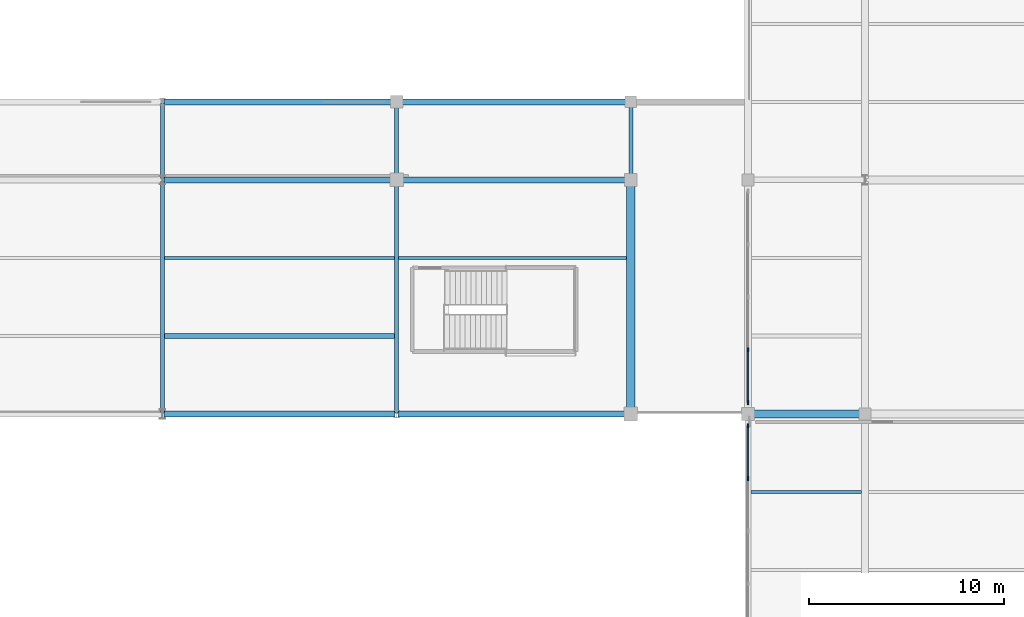
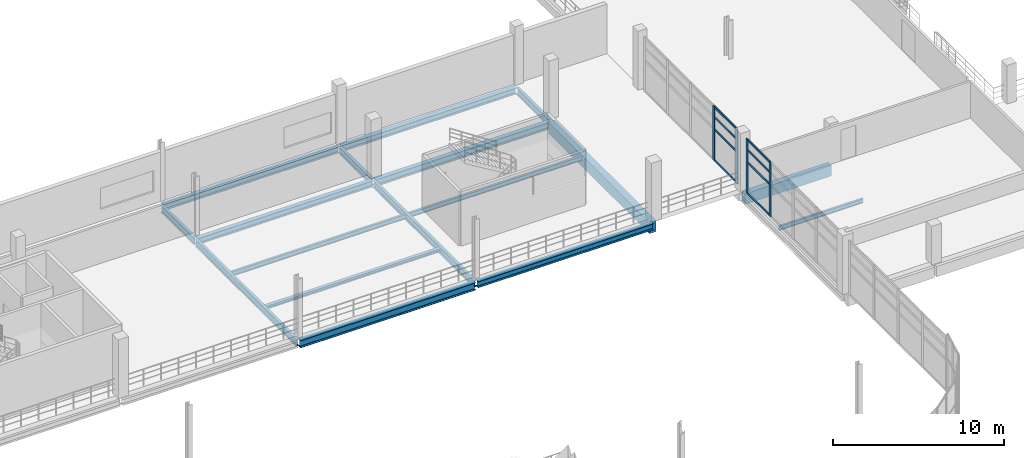
# One storey, part 46 of 89: 17 beams, 12 members, 2 elements without a shape of their own.
"""IFC4 building model written with IfcOpenShell, lengths in metres."""

from ifc_helpers import new_model, si_unit, direction, frame, origin, origin_2d, place, context, subcontext, project, spatial, rectangle, i_section, extrude, material, material_profile, profile_set, type_object, element, aggregate, save


model = new_model("IFC4")

# Units and contexts
model_context = context("Model", 3, precision=1e-05, world=origin(), true_north=direction((0.0, 1.0)))
body_context = subcontext(model_context, "Body", "Model", "MODEL_VIEW")
ifc_project = project(units=[si_unit("LENGTHUNIT", "METRE"), si_unit("AREAUNIT", "SQUARE_METRE"), si_unit("VOLUMEUNIT", "CUBIC_METRE"), si_unit("PLANEANGLEUNIT", "RADIAN"), si_unit("MASSUNIT", "GRAM", prefix="KILO"), si_unit("THERMODYNAMICTEMPERATUREUNIT", "KELVIN"), si_unit("POWERUNIT", "WATT")], contexts=[model_context])

# Site, building, storey
site_placement = place(None, origin())
site = spatial("IfcSite", under=ifc_project, at=site_placement, CompositionType="ELEMENT")
building_placement = place(site_placement, origin())
building = spatial("IfcBuilding", under=site, at=building_placement, Name="Solmara Park Aquatics Centre", CompositionType="ELEMENT")
storey_placement = place(building_placement, frame((0.0, 0.0, 5.39990234375)))
storey = spatial("IfcBuildingStorey", under=building, at=storey_placement, Name="L01", CompositionType="ELEMENT", Elevation=5.39990234375)

# Curtain wall, members
ifc_material_1 = material(Name="Anodised Aluminium Curtain Wall Framing", Category="aluminium")
curtain_wall_type = type_object("IfcCurtainWallType", Name="ARC-CW-SYS03", PredefinedType="USERDEFINED", material=ifc_material_1)
curtain_wall_1_placement = place(storey_placement, origin())
curtain_wall_1 = element("IfcCurtainWall", 1, at=curtain_wall_1_placement, inside=storey, type_object=curtain_wall_type, Name="Curtain Wall CW-078", ObjectType="CURTAIN WALL", PredefinedType="USERDEFINED")
ifc_material_2 = material(Name="Anodised Aluminium Alloy 6063-T6", Category="aluminium")
ifc_material_profile_1 = material_profile(ifc_material_2, rectangle(XDim=0.074951171875, YDim=0.219970703125, at=origin_2d()), Name="ALU MULLION 75x220")
ifc_profile_set_1 = profile_set([ifc_material_profile_1], Name="Anodised Aluminium Alloy 6063-T6")
member_type_1 = type_object("IfcMemberType", Name="ARC-CWM-75x220", PredefinedType="MULLION", material=ifc_profile_set_1)
member_1_placement = place(storey_placement, frame((162.0, 33.300048828125, 0.0), z_axis=(0.0, 0.0, 1.0), x_axis=(1.0, 0.0, 0.0)))
member_1 = element("IfcMember", 2, at=member_1_placement, type_object=member_type_1, Name="CW-078 mullion 4", PredefinedType="MULLION", context=body_context, shape_type="SweptSolid", body=[
    extrude(rectangle(XDim=0.074951171875, YDim=0.219970703125, at=origin_2d()), origin(), (0.0, 0.0, 1.0), 3.880126953125),
])
member_2_placement = place(storey_placement, frame((162.0, 36.0, 0.0), z_axis=(0.0, 0.0, 1.0), x_axis=(1.0, 0.0, 0.0)))
member_2 = element("IfcMember", 3, at=member_2_placement, type_object=member_type_1, Name="CW-078 mullion 5", PredefinedType="MULLION", context=body_context, shape_type="SweptSolid", body=[
    extrude(rectangle(XDim=0.074951171875, YDim=0.219970703125, at=origin_2d()), origin(), (0.0, 0.0, 1.0), 3.880126953125),
])

curtain_wall_2_placement = place(storey_placement, origin())
curtain_wall_2 = element("IfcCurtainWall", 4, at=curtain_wall_2_placement, inside=storey, type_object=curtain_wall_type, Name="Curtain Wall CW-081", ObjectType="CURTAIN WALL", PredefinedType="USERDEFINED")
member_3_placement = place(storey_placement, frame((162.0, 37.199951171875, 0.0), z_axis=(0.0, 0.0, 1.0), x_axis=(1.0, 0.0, 0.0)))
member_3 = element("IfcMember", 5, at=member_3_placement, type_object=member_type_1, Name="CW-081 mullion 1", PredefinedType="MULLION", context=body_context, shape_type="SweptSolid", body=[
    extrude(rectangle(XDim=0.074951171875, YDim=0.219970703125, at=origin_2d()), origin(), (0.0, 0.0, 1.0), 3.880126953125),
])
member_4_placement = place(storey_placement, frame((162.0, 39.89990234375, 0.0), z_axis=(0.0, 0.0, 1.0), x_axis=(1.0, 0.0, 0.0)))
member_4 = element("IfcMember", 6, at=member_4_placement, type_object=member_type_1, Name="CW-081 mullion 2", PredefinedType="MULLION", context=body_context, shape_type="SweptSolid", body=[
    extrude(rectangle(XDim=0.074951171875, YDim=0.219970703125, at=origin_2d()), origin(), (0.0, 0.0, 1.0), 3.880126953125),
])

# Member
ifc_material_profile_2 = material_profile(ifc_material_2, rectangle(XDim=0.074951171875, YDim=0.14990234375, at=origin_2d()), Name="ALU TRANSOM 75x150")
ifc_profile_set_2 = profile_set([ifc_material_profile_2], Name="Anodised Aluminium Alloy 6063-T6")
member_type_2 = type_object("IfcMemberType", Name="ARC-CWT-75x150", PredefinedType="USERDEFINED", material=ifc_profile_set_2)
member_5_placement = place(storey_placement, frame((162.0, 33.320068359375, 0.0400390625), z_axis=(0.0, 1.0, 0.0), x_axis=(-1.0, 0.0, 0.0)))
member_5 = element("IfcMember", 7, at=member_5_placement, type_object=member_type_2, Name="CW-078 transom 13", ObjectType="TRANSOM", PredefinedType="USERDEFINED", context=body_context, shape_type="SweptSolid", body=[
    extrude(rectangle(XDim=0.074951171875, YDim=0.14990234375, at=origin_2d()), origin(), (0.0, 0.0, 1.0), 2.619873046875),
])

member_6_placement = place(storey_placement, frame((162.0, 33.320068359375, 2.25048828125), z_axis=(0.0, 1.0, 0.0), x_axis=(-1.0, 0.0, 0.0)))
member_6 = element("IfcMember", 8, at=member_6_placement, type_object=member_type_2, Name="CW-078 transom 14", ObjectType="TRANSOM", PredefinedType="USERDEFINED", context=body_context, shape_type="SweptSolid", body=[
    extrude(rectangle(XDim=0.074951171875, YDim=0.14990234375, at=origin_2d()), origin(), (0.0, 0.0, 1.0), 2.619873046875),
])

member_7_placement = place(storey_placement, frame((162.0, 33.320068359375, 3.130126953125), z_axis=(0.0, 1.0, 0.0), x_axis=(-1.0, 0.0, 0.0)))
member_7 = element("IfcMember", 9, at=member_7_placement, type_object=member_type_2, Name="CW-078 transom 15", ObjectType="TRANSOM", PredefinedType="USERDEFINED", context=body_context, shape_type="SweptSolid", body=[
    extrude(rectangle(XDim=0.074951171875, YDim=0.14990234375, at=origin_2d()), origin(), (0.0, 0.0, 1.0), 2.619873046875),
])

member_8_placement = place(storey_placement, frame((162.0, 33.320068359375, 3.840087890625), z_axis=(0.0, 1.0, 0.0), x_axis=(-1.0, 0.0, 0.0)))
member_8 = element("IfcMember", 10, at=member_8_placement, type_object=member_type_2, Name="CW-078 transom 16", ObjectType="TRANSOM", PredefinedType="USERDEFINED", context=body_context, shape_type="SweptSolid", body=[
    extrude(rectangle(XDim=0.074951171875, YDim=0.14990234375, at=origin_2d()), origin(), (0.0, 0.0, 1.0), 2.619873046875),
])

aggregate(curtain_wall_1, [member_1, member_2, member_5, member_6, member_7, member_8])

member_9_placement = place(storey_placement, frame((162.0, 37.219970703125, 0.0400390625), z_axis=(0.0, 1.0, 0.0), x_axis=(-1.0, 0.0, 0.0)))
member_9 = element("IfcMember", 11, at=member_9_placement, type_object=member_type_2, Name="CW-081 transom 1", ObjectType="TRANSOM", PredefinedType="USERDEFINED", context=body_context, shape_type="SweptSolid", body=[
    extrude(rectangle(XDim=0.074951171875, YDim=0.14990234375, at=origin_2d()), origin(), (0.0, 0.0, 1.0), 2.6201171875),
])

member_10_placement = place(storey_placement, frame((162.0, 37.219970703125, 2.25048828125), z_axis=(0.0, 1.0, 0.0), x_axis=(-1.0, 0.0, 0.0)))
member_10 = element("IfcMember", 12, at=member_10_placement, type_object=member_type_2, Name="CW-081 transom 2", ObjectType="TRANSOM", PredefinedType="USERDEFINED", context=body_context, shape_type="SweptSolid", body=[
    extrude(rectangle(XDim=0.074951171875, YDim=0.14990234375, at=origin_2d()), origin(), (0.0, 0.0, 1.0), 2.6201171875),
])

member_11_placement = place(storey_placement, frame((162.0, 37.219970703125, 3.130126953125), z_axis=(0.0, 1.0, 0.0), x_axis=(-1.0, 0.0, 0.0)))
member_11 = element("IfcMember", 13, at=member_11_placement, type_object=member_type_2, Name="CW-081 transom 3", ObjectType="TRANSOM", PredefinedType="USERDEFINED", context=body_context, shape_type="SweptSolid", body=[
    extrude(rectangle(XDim=0.074951171875, YDim=0.14990234375, at=origin_2d()), origin(), (0.0, 0.0, 1.0), 2.6201171875),
])

member_12_placement = place(storey_placement, frame((162.0, 37.219970703125, 3.840087890625), z_axis=(0.0, 1.0, 0.0), x_axis=(-1.0, 0.0, 0.0)))
member_12 = element("IfcMember", 14, at=member_12_placement, type_object=member_type_2, Name="CW-081 transom 4", ObjectType="TRANSOM", PredefinedType="USERDEFINED", context=body_context, shape_type="SweptSolid", body=[
    extrude(rectangle(XDim=0.074951171875, YDim=0.14990234375, at=origin_2d()), origin(), (0.0, 0.0, 1.0), 2.6201171875),
])

aggregate(curtain_wall_2, [member_3, member_4, member_9, member_10, member_11, member_12])

# Beams
ifc_material_3 = material(Name="Structural Steel S355", Category="steel")
ifc_material_profile_3 = material_profile(ifc_material_3, i_section(OverallWidth=0.300048828125, OverallDepth=0.43994140625, WebThickness=0.011474609375, FlangeThickness=0.02099609375, FilletRadius=0.027099609375, at=origin_2d()), Name="HEA 450")
ifc_profile_set_3 = profile_set([ifc_material_profile_3], Name="Structural Steel S355")
beam_type_1 = type_object("IfcBeamType", Name="STR-BM-HEA450", PredefinedType="BEAM", material=ifc_profile_set_3)
for number, where, z_axis, x_axis, name in (
    (15, (144.080078125, 36.60009765625, -0.539794921875), (1.0, 0.0, 0.0), (0.0, 1.0, 0.0), "Girder BM-L01-0205"),
    (16, (132.080078125, 48.60009765625, -0.539794921875), (1.0, 0.0, 0.0), (0.0, 1.0, 0.0), "Girder BM-L01-0209"),
    (17, (132.080078125, 52.60009765625, -0.539794921875), (1.0, 0.0, 0.0), (0.0, 1.0, 0.0), "Girder BM-L01-0213"),
    (18, (144.080078125, 52.60009765625, -0.539794921875), (1.0, 0.0, 0.0), (0.0, 1.0, 0.0), "Girder BM-L01-0214"),
):
    element("IfcBeam", number, at=place(storey_placement, frame(where, z_axis=z_axis, x_axis=x_axis)), inside=storey, type_object=beam_type_1, Name=name, PredefinedType="BEAM", context=body_context, shape_type="SweptSolid", body=[
        extrude(i_section(OverallWidth=0.300048828125, OverallDepth=0.43994140625, WebThickness=0.011474609375, FlangeThickness=0.02099609375, FilletRadius=0.027099609375, at=origin_2d()), origin(), (0.0, 0.0, 1.0), 11.83984375),
    ])
ifc_material_profile_4 = material_profile(ifc_material_3, i_section(OverallWidth=0.300048828125, OverallDepth=0.489990234375, WebThickness=0.011962890625, FlangeThickness=0.02294921875, FilletRadius=0.027099609375, at=origin_2d()), Name="HEA 500")
ifc_profile_set_4 = profile_set([ifc_material_profile_4], Name="Structural Steel S355")
beam_type_2 = type_object("IfcBeamType", Name="STR-BM-HEA500", PredefinedType="BEAM", material=ifc_profile_set_4)
beam_1_placement = place(storey_placement, frame((144.080078125, 48.60009765625, -0.56494140625), z_axis=(1.0, 0.0, 0.0), x_axis=(0.0, 1.0, 0.0)))
element("IfcBeam", 19, at=beam_1_placement, inside=storey, type_object=beam_type_2, Name="Girder BM-L01-0210", PredefinedType="BEAM", context=body_context, shape_type="SweptSolid", body=[
    extrude(i_section(OverallWidth=0.300048828125, OverallDepth=0.489990234375, WebThickness=0.011962890625, FlangeThickness=0.02294921875, FilletRadius=0.027099609375, at=origin_2d()), origin(), (0.0, 0.0, 1.0), 11.83984375),
])
ifc_material_profile_5 = material_profile(ifc_material_3, i_section(OverallWidth=0.300048828125, OverallDepth=0.5400390625, WebThickness=0.012451171875, FlangeThickness=0.02392578125, FilletRadius=0.027099609375, at=origin_2d()), Name="HEA 550")
ifc_profile_set_5 = profile_set([ifc_material_profile_5], Name="Structural Steel S355")
beam_type_3 = type_object("IfcBeamType", Name="STR-BM-HEA550", PredefinedType="BEAM", material=ifc_profile_set_5)
beam_2_placement = place(storey_placement, frame((132.080078125, 36.60009765625, -0.58984375), z_axis=(1.0, 0.0, 0.0), x_axis=(0.0, 1.0, 0.0)))
element("IfcBeam", 20, at=beam_2_placement, inside=storey, type_object=beam_type_3, Name="Girder BM-L01-0204", PredefinedType="BEAM", context=body_context, shape_type="SweptSolid", body=[
    extrude(i_section(OverallWidth=0.300048828125, OverallDepth=0.5400390625, WebThickness=0.012451171875, FlangeThickness=0.02392578125, FilletRadius=0.027099609375, at=origin_2d()), origin(), (0.0, 0.0, 1.0), 11.83984375),
])
ifc_material_profile_6 = material_profile(ifc_material_3, i_section(OverallWidth=0.199951171875, OverallDepth=0.5, WebThickness=0.01025390625, FlangeThickness=0.01611328125, FilletRadius=0.02099609375, at=origin_2d()), Name="IPE 500")
ifc_profile_set_6 = profile_set([ifc_material_profile_6], Name="Structural Steel S355")
beam_type_4 = type_object("IfcBeamType", Name="STR-BM-IPE500", PredefinedType="BEAM", material=ifc_profile_set_6)
beam_3_placement = place(storey_placement, frame((132.0, 36.679931640625, -0.56982421875), z_axis=(0.0, 1.0, 0.0), x_axis=(-1.0, 0.0, 0.0)))
element("IfcBeam", 21, at=beam_3_placement, inside=storey, type_object=beam_type_4, Name="Girder BM-L01-0220", PredefinedType="BEAM", context=body_context, shape_type="SweptSolid", body=[
    extrude(i_section(OverallWidth=0.199951171875, OverallDepth=0.5, WebThickness=0.01025390625, FlangeThickness=0.01611328125, FilletRadius=0.02099609375, at=origin_2d()), origin(), (0.0, 0.0, 1.0), 11.840087890625),
])
beam_4_placement = place(storey_placement, frame((132.0, 48.679931640625, -0.56982421875), z_axis=(0.0, 1.0, 0.0), x_axis=(-1.0, 0.0, 0.0)))
element("IfcBeam", 22, at=beam_4_placement, inside=storey, type_object=beam_type_4, Name="Girder BM-L01-0221", PredefinedType="BEAM", context=body_context, shape_type="SweptSolid", body=[
    extrude(i_section(OverallWidth=0.199951171875, OverallDepth=0.5, WebThickness=0.01025390625, FlangeThickness=0.01611328125, FilletRadius=0.02099609375, at=origin_2d()), origin(), (0.0, 0.0, 1.0), 3.840087890625),
])
beam_5_placement = place(storey_placement, frame((144.0, 36.679931640625, -0.56982421875), z_axis=(0.0, 1.0, 0.0), x_axis=(-1.0, 0.0, 0.0)))
element("IfcBeam", 23, at=beam_5_placement, inside=storey, type_object=beam_type_4, Name="Girder BM-L01-0222", PredefinedType="BEAM", context=body_context, shape_type="SweptSolid", body=[
    extrude(i_section(OverallWidth=0.199951171875, OverallDepth=0.5, WebThickness=0.01025390625, FlangeThickness=0.01611328125, FilletRadius=0.02099609375, at=origin_2d()), origin(), (0.0, 0.0, 1.0), 11.840087890625),
])
for number, where, z_axis, x_axis, name in (
    (24, (144.0, 48.679931640625, -0.56982421875), (0.0, 1.0, 0.0), (-1.0, 0.0, 0.0), "Girder BM-L01-0223"),
    (25, (156.0, 48.679931640625, -0.56982421875), (0.0, 1.0, 0.0), (-1.0, 0.0, 0.0), "Girder BM-L01-0225"),
):
    element("IfcBeam", number, at=place(storey_placement, frame(where, z_axis=z_axis, x_axis=x_axis)), inside=storey, type_object=beam_type_4, Name=name, PredefinedType="BEAM", context=body_context, shape_type="SweptSolid", body=[
        extrude(i_section(OverallWidth=0.199951171875, OverallDepth=0.5, WebThickness=0.01025390625, FlangeThickness=0.01611328125, FilletRadius=0.02099609375, at=origin_2d()), origin(), (0.0, 0.0, 1.0), 3.840087890625),
    ])
ifc_material_4 = material(Name="Concrete C40/50", Category="concrete")
ifc_material_profile_7 = material_profile(ifc_material_4, rectangle(XDim=0.39990234375, YDim=0.75, at=origin_2d()), Name="RC 400x750")
ifc_profile_set_7 = profile_set([ifc_material_profile_7], Name="Concrete C40/50")
beam_type_5 = type_object("IfcBeamType", Name="STR-BM-RC400x750", PredefinedType="BEAM", material=ifc_profile_set_7)
beam_6_placement = place(storey_placement, frame((162.080078125, 36.60009765625, -0.69482421875), z_axis=(1.0, 0.0, 0.0), x_axis=(0.0, 1.0, 0.0)))
element("IfcBeam", 26, at=beam_6_placement, inside=storey, type_object=beam_type_5, Name="Girder BM-L01-0230", PredefinedType="BEAM", context=body_context, shape_type="SweptSolid", body=[
    extrude(rectangle(XDim=0.39990234375, YDim=0.75, at=origin_2d()), origin(), (0.0, 0.0, 1.0), 5.83984375),
])
ifc_material_profile_8 = material_profile(ifc_material_4, rectangle(XDim=0.449951171875, YDim=0.800048828125, at=origin_2d()), Name="RC 450x800")
ifc_profile_set_8 = profile_set([ifc_material_profile_8], Name="Concrete C40/50")
beam_type_6 = type_object("IfcBeamType", Name="STR-BM-RC450x800", PredefinedType="BEAM", material=ifc_profile_set_8)
beam_7_placement = place(storey_placement, frame((156.0, 36.679931640625, -0.719970703125), z_axis=(0.0, 1.0, 0.0), x_axis=(-1.0, 0.0, 0.0)))
element("IfcBeam", 27, at=beam_7_placement, inside=storey, type_object=beam_type_6, Name="Girder BM-L01-0224", PredefinedType="BEAM", context=body_context, shape_type="SweptSolid", body=[
    extrude(rectangle(XDim=0.449951171875, YDim=0.800048828125, at=origin_2d()), origin(), (0.0, 0.0, 1.0), 11.840087890625),
])
ifc_material_profile_9 = material_profile(ifc_material_3, i_section(OverallWidth=0.239990234375, OverallDepth=0.22998046875, WebThickness=0.007568359375, FlangeThickness=0.011962890625, FilletRadius=0.02099609375, at=origin_2d()), Name="HEA 240")
ifc_profile_set_9 = profile_set([ifc_material_profile_9], Name="Structural Steel S355")
beam_type_7 = type_object("IfcBeamType", Name="STR-JST-HEA240", PredefinedType="JOIST", material=ifc_profile_set_9)
beam_8_placement = place(storey_placement, frame((132.10009765625, 40.60009765625, -0.434814453125), z_axis=(1.0, 0.0, 0.0), x_axis=(0.0, 1.0, 0.0)))
element("IfcBeam", 28, at=beam_8_placement, inside=storey, type_object=beam_type_7, Name="Floor Joist JST-L01-0129", PredefinedType="JOIST", context=body_context, shape_type="SweptSolid", body=[
    extrude(i_section(OverallWidth=0.239990234375, OverallDepth=0.22998046875, WebThickness=0.007568359375, FlangeThickness=0.011962890625, FilletRadius=0.02099609375, at=origin_2d()), origin(), (0.0, 0.0, 1.0), 11.7998046875),
])
ifc_material_profile_10 = material_profile(ifc_material_3, i_section(OverallWidth=0.14990234375, OverallDepth=0.300048828125, WebThickness=0.007080078125, FlangeThickness=0.0107421875, FilletRadius=0.014892578125, at=origin_2d()), Name="IPE 300")
ifc_profile_set_10 = profile_set([ifc_material_profile_10], Name="Structural Steel S355")
beam_type_8 = type_object("IfcBeamType", Name="STR-JST-IPE300", PredefinedType="JOIST", material=ifc_profile_set_10)
beam_9_placement = place(storey_placement, frame((162.14990234375, 32.60009765625, -0.469970703125), z_axis=(1.0, 0.0, 0.0), x_axis=(0.0, 1.0, 0.0)))
element("IfcBeam", 29, at=beam_9_placement, inside=storey, type_object=beam_type_8, Name="Floor Joist JST-L01-0133", PredefinedType="JOIST", context=body_context, shape_type="SweptSolid", body=[
    extrude(i_section(OverallWidth=0.14990234375, OverallDepth=0.300048828125, WebThickness=0.007080078125, FlangeThickness=0.0107421875, FilletRadius=0.014892578125, at=origin_2d()), origin(), (0.0, 0.0, 1.0), 5.675048828125),
])
ifc_material_profile_11 = material_profile(ifc_material_3, i_section(OverallWidth=0.159912109375, OverallDepth=0.330078125, WebThickness=0.007568359375, FlangeThickness=0.011474609375, FilletRadius=0.01806640625, at=origin_2d()), Name="IPE 330")
ifc_profile_set_11 = profile_set([ifc_material_profile_11], Name="Structural Steel S355")
beam_type_9 = type_object("IfcBeamType", Name="STR-JST-IPE330", PredefinedType="JOIST", material=ifc_profile_set_11)
beam_10_placement = place(storey_placement, frame((132.10009765625, 44.60009765625, -0.48486328125), z_axis=(1.0, 0.0, 0.0), x_axis=(0.0, 1.0, 0.0)))
element("IfcBeam", 30, at=beam_10_placement, inside=storey, type_object=beam_type_9, Name="Floor Joist JST-L01-0130", PredefinedType="JOIST", context=body_context, shape_type="SweptSolid", body=[
    extrude(i_section(OverallWidth=0.159912109375, OverallDepth=0.330078125, WebThickness=0.007568359375, FlangeThickness=0.011474609375, FilletRadius=0.01806640625, at=origin_2d()), origin(), (0.0, 0.0, 1.0), 11.7998046875),
])
beam_11_placement = place(storey_placement, frame((144.10009765625, 44.60009765625, -0.48486328125), z_axis=(1.0, 0.0, 0.0), x_axis=(0.0, 1.0, 0.0)))
element("IfcBeam", 31, at=beam_11_placement, inside=storey, type_object=beam_type_9, Name="Floor Joist JST-L01-0131", PredefinedType="JOIST", context=body_context, shape_type="SweptSolid", body=[
    extrude(i_section(OverallWidth=0.159912109375, OverallDepth=0.330078125, WebThickness=0.007568359375, FlangeThickness=0.011474609375, FilletRadius=0.01806640625, at=origin_2d()), origin(), (0.0, 0.0, 1.0), 11.6748046875),
])

save(model, "model.ifc")
